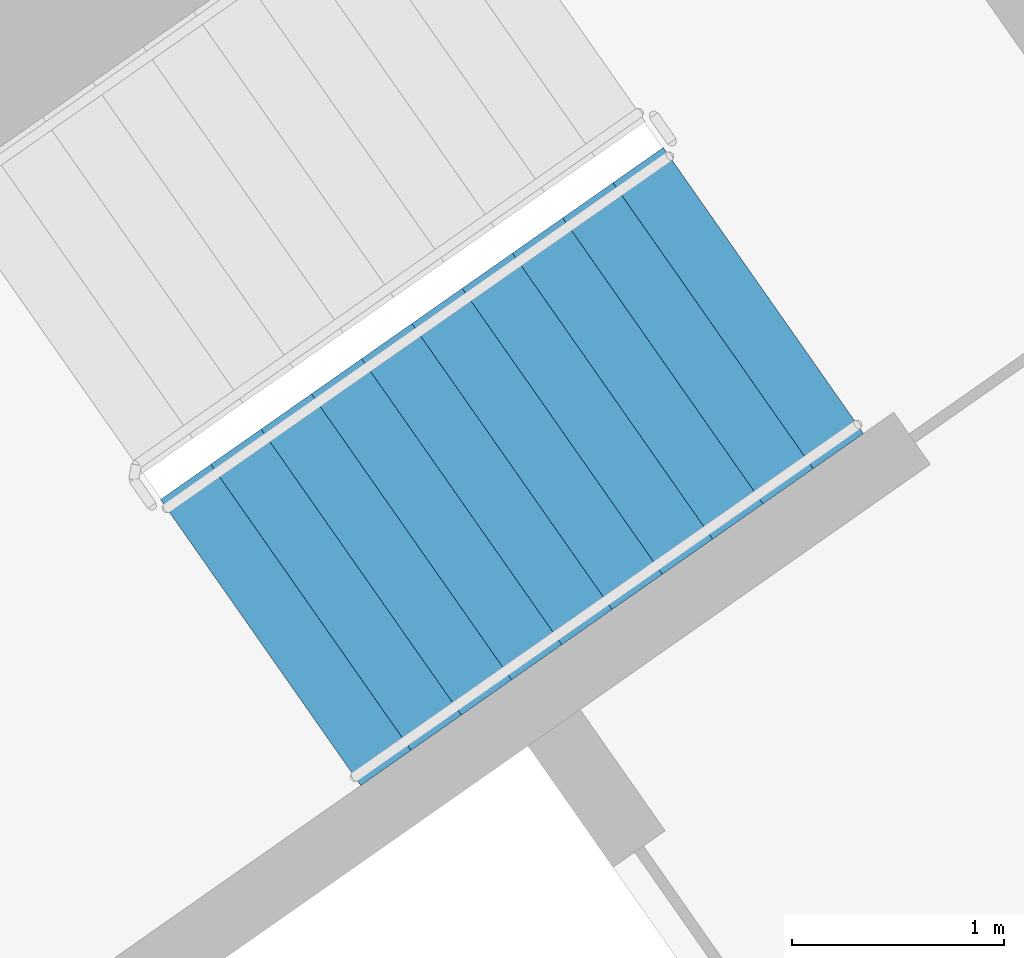
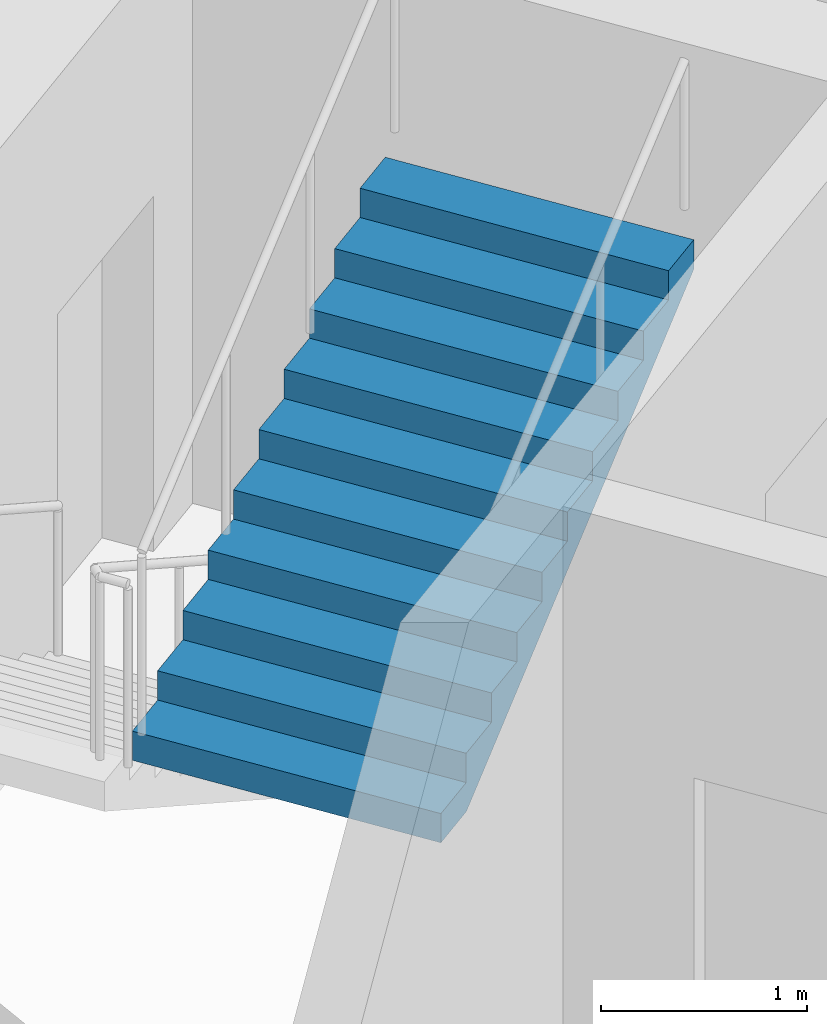
# One storey, part 15 of 26: 1 stair flight, 1 element without a shape of its own.
"""IFC4 building model written with IfcOpenShell, lengths in metres."""

from ifc_helpers import new_model, si_unit, direction, frame, origin, place, context, subcontext, project, spatial, faceted_brep, material, type_object, element, aggregate, save


model = new_model("IFC4")

# Units and contexts
model_context = context("Model", 3, precision=1e-05, world=origin(), true_north=direction((0.0, 1.0)))
body_context = subcontext(model_context, "Body", "Model", "MODEL_VIEW")
ifc_project = project(units=[si_unit("LENGTHUNIT", "METRE"), si_unit("AREAUNIT", "SQUARE_METRE"), si_unit("VOLUMEUNIT", "CUBIC_METRE"), si_unit("PLANEANGLEUNIT", "RADIAN"), si_unit("MASSUNIT", "GRAM", prefix="KILO")], contexts=[model_context])

# Site, building, storey
site_placement = place(None, origin())
site = spatial("IfcSite", under=ifc_project, at=site_placement, CompositionType="ELEMENT")
building_placement = place(site_placement, origin())
building = spatial("IfcBuilding", under=site, at=building_placement, Name="Qamariyya Broadcast Tower", CompositionType="ELEMENT")
storey_placement = place(building_placement, frame((0.0, 0.0, 168.300048828125)))
storey = spatial("IfcBuildingStorey", under=building, at=storey_placement, Name="L39", CompositionType="ELEMENT", Elevation=168.300048828125)

# Stair, stair flight
ifc_material = material(Name="Concrete C50/60", Category="concrete")
stair_type = type_object("IfcStairType", Name="Exit stair 22 risers of 173 mm", PredefinedType="HALF_TURN_STAIR", material=ifc_material)
stair_placement = place(storey_placement, origin())
stair = element("IfcStair", 1, at=stair_placement, inside=storey, type_object=stair_type, Name="L39 Stair E2", PredefinedType="HALF_TURN_STAIR")
stair_flight_type = type_object("IfcStairFlightType", Name="Exit stair flight 11 risers of 173 mm", PredefinedType="STRAIGHT", material=ifc_material)
stair_flight_placement = place(storey_placement, frame((39.215576171875, -50.822998046875, 1.89990234375), z_axis=(0.0, 0.0, 1.0), x_axis=(0.819152044289, 0.573576436351, 0.0)))
stair_flight = element("IfcStairFlight", 2, at=stair_flight_placement, type_object=stair_flight_type, Name="ST-E2 flight 2", NumberOfRisers=11, NumberOfTreads=10, PredefinedType="STRAIGHT", RiserHeight=0.172727273, TreadLength=0.29, context=body_context, shape_type="Brep", body=[
    faceted_brep([(0.0, 0.824951171875, 0.0), (0.0, 0.824951171875, 0.172607421875), (0.2900390625, 0.824951171875, 0.172607421875), (0.2900390625, 0.824951171875, 0.345458984375), (0.580078125, 0.824951171875, 0.345458984375), (0.580078125, 0.824951171875, 0.51806640625), (0.8701171875, 0.824951171875, 0.51806640625), (0.8701171875, 0.824951171875, 0.69091796875), (1.159912109375, 0.824951171875, 0.69091796875), (1.159912109375, 0.824951171875, 0.863525390625), (1.449951171875, 0.824951171875, 0.863525390625), (1.449951171875, 0.824951171875, 1.036376953125), (1.739990234375, 0.824951171875, 1.036376953125), (1.739990234375, 0.824951171875, 1.208984375), (2.030029296875, 0.824951171875, 1.208984375), (2.030029296875, 0.824951171875, 1.3818359375), (2.320068359375, 0.824951171875, 1.3818359375), (2.320068359375, 0.824951171875, 1.554443359375), (2.610107421875, 0.824951171875, 1.554443359375), (2.610107421875, 0.824951171875, 1.727294921875), (2.89990234375, 0.824951171875, 1.727294921875), (2.89990234375, 0.824951171875, 1.552734375), (0.29296875, 0.824951171875, 0.0), (0.29296875, -0.824951171875, 0.0), (2.89990234375, -0.824951171875, 1.552734375), (2.89990234375, -0.824951171875, 1.727294921875), (2.610107421875, -0.824951171875, 1.727294921875), (2.610107421875, -0.824951171875, 1.554443359375), (2.320068359375, -0.824951171875, 1.554443359375), (2.320068359375, -0.824951171875, 1.3818359375), (2.030029296875, -0.824951171875, 1.3818359375), (2.030029296875, -0.824951171875, 1.208984375), (1.739990234375, -0.824951171875, 1.208984375), (1.739990234375, -0.824951171875, 1.036376953125), (1.449951171875, -0.824951171875, 1.036376953125), (1.449951171875, -0.824951171875, 0.863525390625), (1.159912109375, -0.824951171875, 0.863525390625), (1.159912109375, -0.824951171875, 0.69091796875), (0.8701171875, -0.824951171875, 0.69091796875), (0.8701171875, -0.824951171875, 0.51806640625), (0.580078125, -0.824951171875, 0.51806640625), (0.580078125, -0.824951171875, 0.345458984375), (0.2900390625, -0.824951171875, 0.345458984375), (0.2900390625, -0.824951171875, 0.172607421875), (0.0, -0.824951171875, 0.172607421875), (0.0, -0.824951171875, 0.0), (0.0, 0.10009765625, 0.0), (0.0, 0.086669921875, 0.0), (0.0, 0.0732421875, 0.0), (0.0, 0.06005859375, 0.0), (0.0, 0.046630859375, 0.0), (0.0, 0.033447265625, 0.0), (0.0, 0.02001953125, 0.0), (0.0, 0.006591796875, 0.0), (0.0, -0.006591796875, 0.0), (0.0, -0.02001953125, 0.0), (0.0, -0.033447265625, 0.0), (0.0, -0.046630859375, 0.0), (0.0, -0.06005859375, 0.0), (0.0, -0.0732421875, 0.0), (0.0, -0.086669921875, 0.0), (0.0, -0.10009765625, 0.0), (0.0, -0.10009765625, 0.172607421875), (0.0, -0.086669921875, 0.172607421875), (0.0, -0.0732421875, 0.172607421875), (0.0, -0.06005859375, 0.172607421875), (0.0, -0.046630859375, 0.172607421875), (0.0, -0.033447265625, 0.172607421875), (0.0, -0.02001953125, 0.172607421875), (0.0, -0.006591796875, 0.172607421875), (0.0, 0.006591796875, 0.172607421875), (0.0, 0.02001953125, 0.172607421875), (0.0, 0.033447265625, 0.172607421875), (0.0, 0.046630859375, 0.172607421875), (0.0, 0.06005859375, 0.172607421875), (0.0, 0.0732421875, 0.172607421875), (0.0, 0.086669921875, 0.172607421875), (0.0, 0.10009765625, 0.172607421875), (0.2900390625, -0.10009765625, 0.172607421875), (0.2900390625, -0.086669921875, 0.172607421875), (0.2900390625, -0.0732421875, 0.172607421875), (0.2900390625, -0.06005859375, 0.172607421875), (0.2900390625, -0.046630859375, 0.172607421875), (0.2900390625, -0.033447265625, 0.172607421875), (0.2900390625, -0.02001953125, 0.172607421875), (0.2900390625, -0.006591796875, 0.172607421875), (0.2900390625, 0.006591796875, 0.172607421875), (0.2900390625, 0.02001953125, 0.172607421875), (0.2900390625, 0.033447265625, 0.172607421875), (0.2900390625, 0.046630859375, 0.172607421875), (0.2900390625, 0.06005859375, 0.172607421875), (0.2900390625, 0.0732421875, 0.172607421875), (0.2900390625, 0.086669921875, 0.172607421875), (0.2900390625, 0.10009765625, 0.172607421875), (0.2900390625, -0.10009765625, 0.345458984375), (0.2900390625, -0.086669921875, 0.345458984375), (0.2900390625, -0.0732421875, 0.345458984375), (0.2900390625, -0.06005859375, 0.345458984375), (0.2900390625, -0.046630859375, 0.345458984375), (0.2900390625, -0.033447265625, 0.345458984375), (0.2900390625, -0.02001953125, 0.345458984375), (0.2900390625, -0.006591796875, 0.345458984375), (0.2900390625, 0.006591796875, 0.345458984375), (0.2900390625, 0.02001953125, 0.345458984375), (0.2900390625, 0.033447265625, 0.345458984375), (0.2900390625, 0.046630859375, 0.345458984375), (0.2900390625, 0.06005859375, 0.345458984375), (0.2900390625, 0.0732421875, 0.345458984375), (0.2900390625, 0.086669921875, 0.345458984375), (0.2900390625, 0.10009765625, 0.345458984375), (0.580078125, -0.10009765625, 0.345458984375), (0.580078125, -0.086669921875, 0.345458984375), (0.580078125, -0.0732421875, 0.345458984375), (0.580078125, -0.06005859375, 0.345458984375), (0.580078125, -0.046630859375, 0.345458984375), (0.580078125, -0.033447265625, 0.345458984375), (0.580078125, -0.02001953125, 0.345458984375), (0.580078125, -0.006591796875, 0.345458984375), (0.580078125, 0.006591796875, 0.345458984375), (0.580078125, 0.02001953125, 0.345458984375), (0.580078125, 0.033447265625, 0.345458984375), (0.580078125, 0.046630859375, 0.345458984375), (0.580078125, 0.06005859375, 0.345458984375), (0.580078125, 0.0732421875, 0.345458984375), (0.580078125, 0.086669921875, 0.345458984375), (0.580078125, 0.10009765625, 0.345458984375), (0.580078125, -0.10009765625, 0.51806640625), (0.580078125, -0.086669921875, 0.51806640625), (0.580078125, -0.0732421875, 0.51806640625), (0.580078125, -0.06005859375, 0.51806640625), (0.580078125, -0.046630859375, 0.51806640625), (0.580078125, -0.033447265625, 0.51806640625), (0.580078125, -0.02001953125, 0.51806640625), (0.580078125, -0.006591796875, 0.51806640625), (0.580078125, 0.006591796875, 0.51806640625), (0.580078125, 0.02001953125, 0.51806640625), (0.580078125, 0.033447265625, 0.51806640625), (0.580078125, 0.046630859375, 0.51806640625), (0.580078125, 0.06005859375, 0.51806640625), (0.580078125, 0.0732421875, 0.51806640625), (0.580078125, 0.086669921875, 0.51806640625), (0.580078125, 0.10009765625, 0.51806640625), (0.8701171875, -0.10009765625, 0.51806640625), (0.8701171875, -0.086669921875, 0.51806640625), (0.8701171875, -0.0732421875, 0.51806640625), (0.8701171875, -0.06005859375, 0.51806640625), (0.8701171875, -0.046630859375, 0.51806640625), (0.8701171875, -0.033447265625, 0.51806640625), (0.8701171875, -0.02001953125, 0.51806640625), (0.8701171875, -0.006591796875, 0.51806640625), (0.8701171875, 0.006591796875, 0.51806640625), (0.8701171875, 0.02001953125, 0.51806640625), (0.8701171875, 0.033447265625, 0.51806640625), (0.8701171875, 0.046630859375, 0.51806640625), (0.8701171875, 0.06005859375, 0.51806640625), (0.8701171875, 0.0732421875, 0.51806640625), (0.8701171875, 0.086669921875, 0.51806640625), (0.8701171875, 0.10009765625, 0.51806640625), (0.8701171875, -0.10009765625, 0.69091796875), (0.8701171875, -0.086669921875, 0.69091796875), (0.8701171875, -0.0732421875, 0.69091796875), (0.8701171875, -0.06005859375, 0.69091796875), (0.8701171875, -0.046630859375, 0.69091796875), (0.8701171875, -0.033447265625, 0.69091796875), (0.8701171875, -0.02001953125, 0.69091796875), (0.8701171875, -0.006591796875, 0.69091796875), (0.8701171875, 0.006591796875, 0.69091796875), (0.8701171875, 0.02001953125, 0.69091796875), (0.8701171875, 0.033447265625, 0.69091796875), (0.8701171875, 0.046630859375, 0.69091796875), (0.8701171875, 0.06005859375, 0.69091796875), (0.8701171875, 0.0732421875, 0.69091796875), (0.8701171875, 0.086669921875, 0.69091796875), (0.8701171875, 0.10009765625, 0.69091796875), (1.159912109375, -0.10009765625, 0.69091796875), (1.159912109375, -0.086669921875, 0.69091796875), (1.159912109375, -0.0732421875, 0.69091796875), (1.159912109375, -0.06005859375, 0.69091796875), (1.159912109375, -0.046630859375, 0.69091796875), (1.159912109375, -0.033447265625, 0.69091796875), (1.159912109375, -0.02001953125, 0.69091796875), (1.159912109375, -0.006591796875, 0.69091796875), (1.159912109375, 0.006591796875, 0.69091796875), (1.159912109375, 0.02001953125, 0.69091796875), (1.159912109375, 0.033447265625, 0.69091796875), (1.159912109375, 0.046630859375, 0.69091796875), (1.159912109375, 0.06005859375, 0.69091796875), (1.159912109375, 0.0732421875, 0.69091796875), (1.159912109375, 0.086669921875, 0.69091796875), (1.159912109375, 0.10009765625, 0.69091796875), (1.159912109375, -0.10009765625, 0.863525390625), (1.159912109375, -0.086669921875, 0.863525390625), (1.159912109375, -0.0732421875, 0.863525390625), (1.159912109375, -0.06005859375, 0.863525390625), (1.159912109375, -0.046630859375, 0.863525390625), (1.159912109375, -0.033447265625, 0.863525390625), (1.159912109375, -0.02001953125, 0.863525390625), (1.159912109375, -0.006591796875, 0.863525390625), (1.159912109375, 0.006591796875, 0.863525390625), (1.159912109375, 0.02001953125, 0.863525390625), (1.159912109375, 0.033447265625, 0.863525390625), (1.159912109375, 0.046630859375, 0.863525390625), (1.159912109375, 0.06005859375, 0.863525390625), (1.159912109375, 0.0732421875, 0.863525390625), (1.159912109375, 0.086669921875, 0.863525390625), (1.159912109375, 0.10009765625, 0.863525390625), (1.449951171875, -0.10009765625, 0.863525390625), (1.449951171875, -0.086669921875, 0.863525390625), (1.449951171875, -0.0732421875, 0.863525390625), (1.449951171875, -0.06005859375, 0.863525390625), (1.449951171875, -0.046630859375, 0.863525390625), (1.449951171875, -0.033447265625, 0.863525390625), (1.449951171875, -0.02001953125, 0.863525390625), (1.449951171875, -0.006591796875, 0.863525390625), (1.449951171875, 0.006591796875, 0.863525390625), (1.449951171875, 0.02001953125, 0.863525390625), (1.449951171875, 0.033447265625, 0.863525390625), (1.449951171875, 0.046630859375, 0.863525390625), (1.449951171875, 0.06005859375, 0.863525390625), (1.449951171875, 0.0732421875, 0.863525390625), (1.449951171875, 0.086669921875, 0.863525390625), (1.449951171875, 0.10009765625, 0.863525390625), (1.449951171875, -0.10009765625, 1.036376953125), (1.449951171875, -0.086669921875, 1.036376953125), (1.449951171875, -0.0732421875, 1.036376953125), (1.449951171875, -0.06005859375, 1.036376953125), (1.449951171875, -0.046630859375, 1.036376953125), (1.449951171875, -0.033447265625, 1.036376953125), (1.449951171875, -0.02001953125, 1.036376953125), (1.449951171875, -0.006591796875, 1.036376953125), (1.449951171875, 0.006591796875, 1.036376953125), (1.449951171875, 0.02001953125, 1.036376953125), (1.449951171875, 0.033447265625, 1.036376953125), (1.449951171875, 0.046630859375, 1.036376953125), (1.449951171875, 0.06005859375, 1.036376953125), (1.449951171875, 0.0732421875, 1.036376953125), (1.449951171875, 0.086669921875, 1.036376953125), (1.449951171875, 0.10009765625, 1.036376953125), (1.739990234375, -0.10009765625, 1.036376953125), (1.739990234375, -0.086669921875, 1.036376953125), (1.739990234375, -0.0732421875, 1.036376953125), (1.739990234375, -0.06005859375, 1.036376953125), (1.739990234375, -0.046630859375, 1.036376953125), (1.739990234375, -0.033447265625, 1.036376953125), (1.739990234375, -0.02001953125, 1.036376953125), (1.739990234375, -0.006591796875, 1.036376953125), (1.739990234375, 0.006591796875, 1.036376953125), (1.739990234375, 0.02001953125, 1.036376953125), (1.739990234375, 0.033447265625, 1.036376953125), (1.739990234375, 0.046630859375, 1.036376953125), (1.739990234375, 0.06005859375, 1.036376953125), (1.739990234375, 0.0732421875, 1.036376953125), (1.739990234375, 0.086669921875, 1.036376953125), (1.739990234375, 0.10009765625, 1.036376953125), (1.739990234375, -0.10009765625, 1.208984375), (1.739990234375, -0.086669921875, 1.208984375), (1.739990234375, -0.0732421875, 1.208984375), (1.739990234375, -0.06005859375, 1.208984375), (1.739990234375, -0.046630859375, 1.208984375), (1.739990234375, -0.033447265625, 1.208984375), (1.739990234375, -0.02001953125, 1.208984375), (1.739990234375, -0.006591796875, 1.208984375), (1.739990234375, 0.006591796875, 1.208984375), (1.739990234375, 0.02001953125, 1.208984375), (1.739990234375, 0.033447265625, 1.208984375), (1.739990234375, 0.046630859375, 1.208984375), (1.739990234375, 0.06005859375, 1.208984375), (1.739990234375, 0.0732421875, 1.208984375), (1.739990234375, 0.086669921875, 1.208984375), (1.739990234375, 0.10009765625, 1.208984375), (2.030029296875, -0.10009765625, 1.208984375), (2.030029296875, -0.086669921875, 1.208984375), (2.030029296875, -0.0732421875, 1.208984375), (2.030029296875, -0.06005859375, 1.208984375), (2.030029296875, -0.046630859375, 1.208984375), (2.030029296875, -0.033447265625, 1.208984375), (2.030029296875, -0.02001953125, 1.208984375), (2.030029296875, -0.006591796875, 1.208984375), (2.030029296875, 0.006591796875, 1.208984375), (2.030029296875, 0.02001953125, 1.208984375), (2.030029296875, 0.033447265625, 1.208984375), (2.030029296875, 0.046630859375, 1.208984375), (2.030029296875, 0.06005859375, 1.208984375), (2.030029296875, 0.0732421875, 1.208984375), (2.030029296875, 0.086669921875, 1.208984375), (2.030029296875, 0.10009765625, 1.208984375), (2.030029296875, -0.10009765625, 1.3818359375), (2.030029296875, -0.086669921875, 1.3818359375), (2.030029296875, -0.0732421875, 1.3818359375), (2.030029296875, -0.06005859375, 1.3818359375), (2.030029296875, -0.046630859375, 1.3818359375), (2.030029296875, -0.033447265625, 1.3818359375), (2.030029296875, -0.02001953125, 1.3818359375), (2.030029296875, -0.006591796875, 1.3818359375), (2.030029296875, 0.006591796875, 1.3818359375), (2.030029296875, 0.02001953125, 1.3818359375), (2.030029296875, 0.033447265625, 1.3818359375), (2.030029296875, 0.046630859375, 1.3818359375), (2.030029296875, 0.06005859375, 1.3818359375), (2.030029296875, 0.0732421875, 1.3818359375), (2.030029296875, 0.086669921875, 1.3818359375), (2.030029296875, 0.10009765625, 1.3818359375), (2.320068359375, -0.10009765625, 1.3818359375), (2.320068359375, -0.086669921875, 1.3818359375), (2.320068359375, -0.0732421875, 1.3818359375), (2.320068359375, -0.06005859375, 1.3818359375), (2.320068359375, -0.046630859375, 1.3818359375), (2.320068359375, -0.033447265625, 1.3818359375), (2.320068359375, -0.02001953125, 1.3818359375), (2.320068359375, -0.006591796875, 1.3818359375), (2.320068359375, 0.006591796875, 1.3818359375), (2.320068359375, 0.02001953125, 1.3818359375), (2.320068359375, 0.033447265625, 1.3818359375), (2.320068359375, 0.046630859375, 1.3818359375), (2.320068359375, 0.06005859375, 1.3818359375), (2.320068359375, 0.0732421875, 1.3818359375), (2.320068359375, 0.086669921875, 1.3818359375), (2.320068359375, 0.10009765625, 1.3818359375), (2.320068359375, -0.10009765625, 1.554443359375), (2.320068359375, -0.086669921875, 1.554443359375), (2.320068359375, -0.0732421875, 1.554443359375), (2.320068359375, -0.06005859375, 1.554443359375), (2.320068359375, -0.046630859375, 1.554443359375), (2.320068359375, -0.033447265625, 1.554443359375), (2.320068359375, -0.02001953125, 1.554443359375), (2.320068359375, -0.006591796875, 1.554443359375), (2.320068359375, 0.006591796875, 1.554443359375), (2.320068359375, 0.02001953125, 1.554443359375), (2.320068359375, 0.033447265625, 1.554443359375), (2.320068359375, 0.046630859375, 1.554443359375), (2.320068359375, 0.06005859375, 1.554443359375), (2.320068359375, 0.0732421875, 1.554443359375), (2.320068359375, 0.086669921875, 1.554443359375), (2.320068359375, 0.10009765625, 1.554443359375), (2.610107421875, -0.10009765625, 1.554443359375), (2.610107421875, -0.086669921875, 1.554443359375), (2.610107421875, -0.0732421875, 1.554443359375), (2.610107421875, -0.06005859375, 1.554443359375), (2.610107421875, -0.046630859375, 1.554443359375), (2.610107421875, -0.033447265625, 1.554443359375), (2.610107421875, -0.02001953125, 1.554443359375), (2.610107421875, -0.006591796875, 1.554443359375), (2.610107421875, 0.006591796875, 1.554443359375), (2.610107421875, 0.02001953125, 1.554443359375), (2.610107421875, 0.033447265625, 1.554443359375), (2.610107421875, 0.046630859375, 1.554443359375), (2.610107421875, 0.06005859375, 1.554443359375), (2.610107421875, 0.0732421875, 1.554443359375), (2.610107421875, 0.086669921875, 1.554443359375), (2.610107421875, 0.10009765625, 1.554443359375), (2.610107421875, -0.10009765625, 1.727294921875), (2.610107421875, -0.086669921875, 1.727294921875), (2.610107421875, -0.0732421875, 1.727294921875), (2.610107421875, -0.06005859375, 1.727294921875), (2.610107421875, -0.046630859375, 1.727294921875), (2.610107421875, -0.033447265625, 1.727294921875), (2.610107421875, -0.02001953125, 1.727294921875), (2.610107421875, -0.006591796875, 1.727294921875), (2.610107421875, 0.006591796875, 1.727294921875), (2.610107421875, 0.02001953125, 1.727294921875), (2.610107421875, 0.033447265625, 1.727294921875), (2.610107421875, 0.046630859375, 1.727294921875), (2.610107421875, 0.06005859375, 1.727294921875), (2.610107421875, 0.0732421875, 1.727294921875), (2.610107421875, 0.086669921875, 1.727294921875), (2.610107421875, 0.10009765625, 1.727294921875), (2.89990234375, -0.10009765625, 1.727294921875), (2.89990234375, -0.086669921875, 1.727294921875), (2.89990234375, -0.0732421875, 1.727294921875), (2.89990234375, -0.06005859375, 1.727294921875), (2.89990234375, -0.046630859375, 1.727294921875), (2.89990234375, -0.033447265625, 1.727294921875), (2.89990234375, -0.02001953125, 1.727294921875), (2.89990234375, -0.006591796875, 1.727294921875), (2.89990234375, 0.006591796875, 1.727294921875), (2.89990234375, 0.02001953125, 1.727294921875), (2.89990234375, 0.033447265625, 1.727294921875), (2.89990234375, 0.046630859375, 1.727294921875), (2.89990234375, 0.06005859375, 1.727294921875), (2.89990234375, 0.0732421875, 1.727294921875), (2.89990234375, 0.086669921875, 1.727294921875), (2.89990234375, 0.10009765625, 1.727294921875), (2.89990234375, -0.10009765625, 1.552734375), (2.89990234375, -0.086669921875, 1.552734375), (2.89990234375, -0.0732421875, 1.552734375), (2.89990234375, -0.06005859375, 1.552734375), (2.89990234375, -0.046630859375, 1.552734375), (2.89990234375, -0.033447265625, 1.552734375), (2.89990234375, -0.02001953125, 1.552734375), (2.89990234375, -0.006591796875, 1.552734375), (2.89990234375, 0.006591796875, 1.552734375), (2.89990234375, 0.02001953125, 1.552734375), (2.89990234375, 0.033447265625, 1.552734375), (2.89990234375, 0.046630859375, 1.552734375), (2.89990234375, 0.06005859375, 1.552734375), (2.89990234375, 0.0732421875, 1.552734375), (2.89990234375, 0.086669921875, 1.552734375), (2.89990234375, 0.10009765625, 1.552734375), (0.29296875, -0.10009765625, 0.0), (0.29296875, -0.086669921875, 0.0), (0.29296875, -0.0732421875, 0.0), (0.29296875, -0.06005859375, 0.0), (0.29296875, -0.046630859375, 0.0), (0.29296875, -0.033447265625, 0.0), (0.29296875, -0.02001953125, 0.0), (0.29296875, -0.006591796875, 0.0), (0.29296875, 0.006591796875, 0.0), (0.29296875, 0.02001953125, 0.0), (0.29296875, 0.033447265625, 0.0), (0.29296875, 0.046630859375, 0.0), (0.29296875, 0.06005859375, 0.0), (0.29296875, 0.0732421875, 0.0), (0.29296875, 0.086669921875, 0.0), (0.29296875, 0.10009765625, 0.0)], [[[0, 1, 2, 3, 4, 5, 6, 7, 8, 9, 10, 11, 12, 13, 14, 15, 16, 17, 18, 19, 20, 21, 22]], [[23, 24, 25, 26, 27, 28, 29, 30, 31, 32, 33, 34, 35, 36, 37, 38, 39, 40, 41, 42, 43, 44, 45]], [[0, 46, 47, 48, 49, 50, 51, 52, 53, 54, 55, 56, 57, 58, 59, 60, 61, 45, 44, 62, 63, 64, 65, 66, 67, 68, 69, 70, 71, 72, 73, 74, 75, 76, 77, 1]], [[1, 77, 76, 75, 74, 73, 72, 71, 70, 69, 68, 67, 66, 65, 64, 63, 62, 44, 43, 78, 79, 80, 81, 82, 83, 84, 85, 86, 87, 88, 89, 90, 91, 92, 93, 2]], [[2, 93, 92, 91, 90, 89, 88, 87, 86, 85, 84, 83, 82, 81, 80, 79, 78, 43, 42, 94, 95, 96, 97, 98, 99, 100, 101, 102, 103, 104, 105, 106, 107, 108, 109, 3]], [[3, 109, 108, 107, 106, 105, 104, 103, 102, 101, 100, 99, 98, 97, 96, 95, 94, 42, 41, 110, 111, 112, 113, 114, 115, 116, 117, 118, 119, 120, 121, 122, 123, 124, 125, 4]], [[4, 125, 124, 123, 122, 121, 120, 119, 118, 117, 116, 115, 114, 113, 112, 111, 110, 41, 40, 126, 127, 128, 129, 130, 131, 132, 133, 134, 135, 136, 137, 138, 139, 140, 141, 5]], [[5, 141, 140, 139, 138, 137, 136, 135, 134, 133, 132, 131, 130, 129, 128, 127, 126, 40, 39, 142, 143, 144, 145, 146, 147, 148, 149, 150, 151, 152, 153, 154, 155, 156, 157, 6]], [[6, 157, 156, 155, 154, 153, 152, 151, 150, 149, 148, 147, 146, 145, 144, 143, 142, 39, 38, 158, 159, 160, 161, 162, 163, 164, 165, 166, 167, 168, 169, 170, 171, 172, 173, 7]], [[7, 173, 172, 171, 170, 169, 168, 167, 166, 165, 164, 163, 162, 161, 160, 159, 158, 38, 37, 174, 175, 176, 177, 178, 179, 180, 181, 182, 183, 184, 185, 186, 187, 188, 189, 8]], [[8, 189, 188, 187, 186, 185, 184, 183, 182, 181, 180, 179, 178, 177, 176, 175, 174, 37, 36, 190, 191, 192, 193, 194, 195, 196, 197, 198, 199, 200, 201, 202, 203, 204, 205, 9]], [[9, 205, 204, 203, 202, 201, 200, 199, 198, 197, 196, 195, 194, 193, 192, 191, 190, 36, 35, 206, 207, 208, 209, 210, 211, 212, 213, 214, 215, 216, 217, 218, 219, 220, 221, 10]], [[10, 221, 220, 219, 218, 217, 216, 215, 214, 213, 212, 211, 210, 209, 208, 207, 206, 35, 34, 222, 223, 224, 225, 226, 227, 228, 229, 230, 231, 232, 233, 234, 235, 236, 237, 11]], [[11, 237, 236, 235, 234, 233, 232, 231, 230, 229, 228, 227, 226, 225, 224, 223, 222, 34, 33, 238, 239, 240, 241, 242, 243, 244, 245, 246, 247, 248, 249, 250, 251, 252, 253, 12]], [[12, 253, 252, 251, 250, 249, 248, 247, 246, 245, 244, 243, 242, 241, 240, 239, 238, 33, 32, 254, 255, 256, 257, 258, 259, 260, 261, 262, 263, 264, 265, 266, 267, 268, 269, 13]], [[13, 269, 268, 267, 266, 265, 264, 263, 262, 261, 260, 259, 258, 257, 256, 255, 254, 32, 31, 270, 271, 272, 273, 274, 275, 276, 277, 278, 279, 280, 281, 282, 283, 284, 285, 14]], [[14, 285, 284, 283, 282, 281, 280, 279, 278, 277, 276, 275, 274, 273, 272, 271, 270, 31, 30, 286, 287, 288, 289, 290, 291, 292, 293, 294, 295, 296, 297, 298, 299, 300, 301, 15]], [[15, 301, 300, 299, 298, 297, 296, 295, 294, 293, 292, 291, 290, 289, 288, 287, 286, 30, 29, 302, 303, 304, 305, 306, 307, 308, 309, 310, 311, 312, 313, 314, 315, 316, 317, 16]], [[16, 317, 316, 315, 314, 313, 312, 311, 310, 309, 308, 307, 306, 305, 304, 303, 302, 29, 28, 318, 319, 320, 321, 322, 323, 324, 325, 326, 327, 328, 329, 330, 331, 332, 333, 17]], [[17, 333, 332, 331, 330, 329, 328, 327, 326, 325, 324, 323, 322, 321, 320, 319, 318, 28, 27, 334, 335, 336, 337, 338, 339, 340, 341, 342, 343, 344, 345, 346, 347, 348, 349, 18]], [[18, 349, 348, 347, 346, 345, 344, 343, 342, 341, 340, 339, 338, 337, 336, 335, 334, 27, 26, 350, 351, 352, 353, 354, 355, 356, 357, 358, 359, 360, 361, 362, 363, 364, 365, 19]], [[19, 365, 364, 363, 362, 361, 360, 359, 358, 357, 356, 355, 354, 353, 352, 351, 350, 26, 25, 366, 367, 368, 369, 370, 371, 372, 373, 374, 375, 376, 377, 378, 379, 380, 381, 20]], [[20, 381, 380, 379, 378, 377, 376, 375, 374, 373, 372, 371, 370, 369, 368, 367, 366, 25, 24, 382, 383, 384, 385, 386, 387, 388, 389, 390, 391, 392, 393, 394, 395, 396, 397, 21]], [[21, 397, 396, 395, 394, 393, 392, 391, 390, 389, 388, 387, 386, 385, 384, 383, 382, 24, 23, 398, 399, 400, 401, 402, 403, 404, 405, 406, 407, 408, 409, 410, 411, 412, 413, 22]], [[22, 413, 412, 411, 410, 409, 408, 407, 406, 405, 404, 403, 402, 401, 400, 399, 398, 23, 45, 61, 60, 59, 58, 57, 56, 55, 54, 53, 52, 51, 50, 49, 48, 47, 46, 0]]]),
])
aggregate(stair, [stair_flight])

save(model, "model.ifc")
